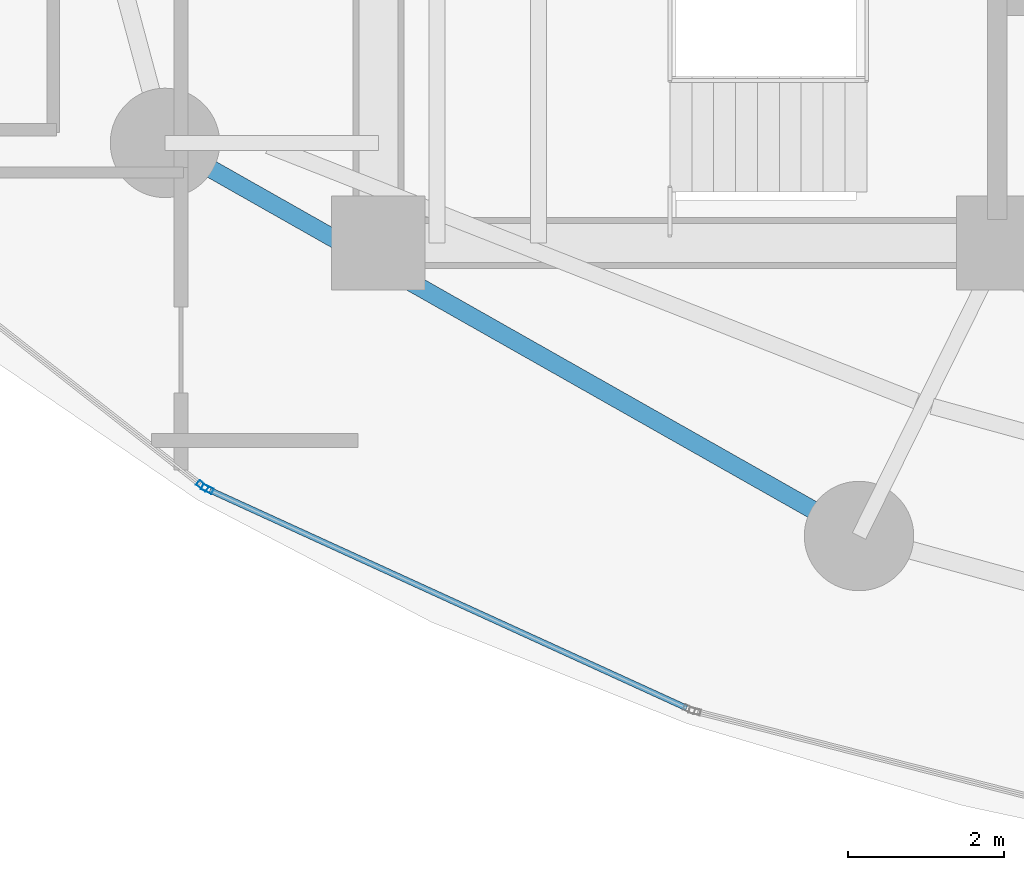
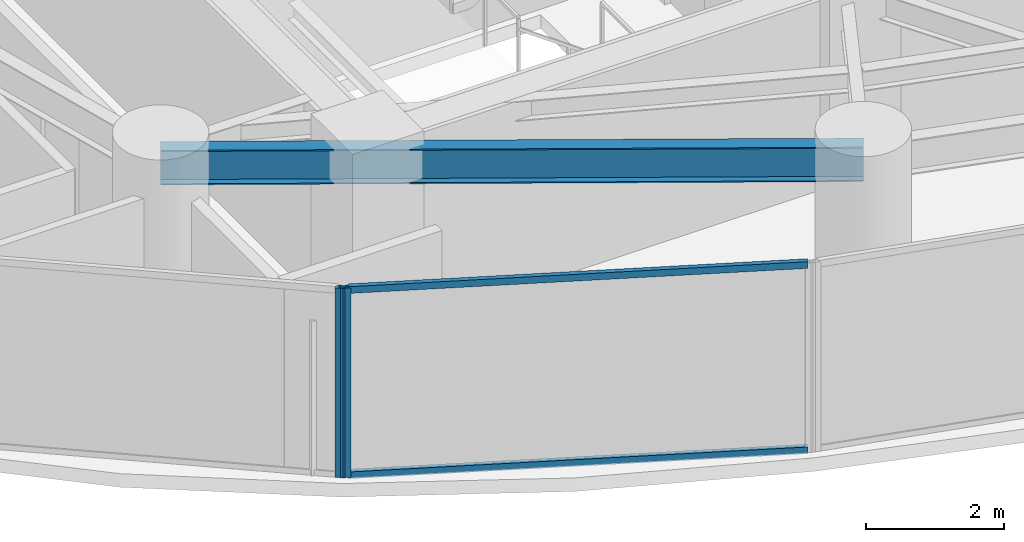
# One storey, part 2 of 33: 4 members, 1 beam, 2 elements without a shape of their own.
"""IFC4 building model written with IfcOpenShell, lengths in metres."""

from ifc_helpers import new_model, si_unit, direction, frame, origin, origin_2d, place, context, subcontext, project, spatial, hollow_rectangle, i_section, extrude, material, layer, layer_set, material_profile, profile_set, type_object, element, aggregate, save


model = new_model("IFC4")

# Units and contexts
model_context = context("Model", 3, precision=1e-05, world=origin(), true_north=direction((0.0, 1.0)))
body_context = subcontext(model_context, "Body", "Model", "MODEL_VIEW")
ifc_project = project(units=[si_unit("LENGTHUNIT", "METRE"), si_unit("AREAUNIT", "SQUARE_METRE"), si_unit("VOLUMEUNIT", "CUBIC_METRE"), si_unit("PLANEANGLEUNIT", "RADIAN"), si_unit("MASSUNIT", "GRAM", prefix="KILO")], contexts=[model_context])

# Site, building, storey
site_placement = place(None, origin())
site = spatial("IfcSite", under=ifc_project, at=site_placement, CompositionType="ELEMENT")
building_placement = place(site_placement, origin())
building = spatial("IfcBuilding", under=site, at=building_placement, Name="Kazevale Care Tower and Concert Hall", CompositionType="ELEMENT")
storey_placement = place(building_placement, frame((0.0, 0.0, 52.800048828125)))
storey = spatial("IfcBuildingStorey", under=building, at=storey_placement, Name="L13", CompositionType="ELEMENT", Elevation=52.800048828125)

# Curtain wall, member
ifc_material_1 = material(Name="Aluminium 6063-T6 and Low-E Glass", Category="aluminium")
ifc_layer = layer(ifc_material_1, 0.179931640625)
ifc_layer_set = layer_set([ifc_layer], Name="Aluminium 6063-T6 and Low-E Glass")
curtain_wall_type = type_object("IfcCurtainWallType", Name="Sheltered Concave Balcony Curtain Wall CW-5", PredefinedType="NOTDEFINED", material=ifc_layer_set)
curtain_wall_1_placement = place(storey_placement, origin())
curtain_wall_1 = element("IfcCurtainWall", 1, at=curtain_wall_1_placement, inside=storey, type_object=curtain_wall_type, Name="cw:L13:f09", PredefinedType="NOTDEFINED")
ifc_material_2 = material(Name="Aluminium 6063-T6", Category="aluminium")
ifc_material_profile_1 = material_profile(ifc_material_2, hollow_rectangle(XDim=0.074951171875, YDim=0.14990234375, WallThickness=0.00390625, at=origin_2d()), Name="ALU75x150x4")
ifc_profile_set_1 = profile_set([ifc_material_profile_1], Name="Aluminium 6063-T6")
member_type_1 = type_object("IfcMemberType", Name="CW-5 Mullion ALU75x150x4", PredefinedType="MULLION", material=ifc_profile_set_1)
member_1_placement = place(storey_placement, frame((19.81201171875, 20.451416015625, 0.0), z_axis=(0.0, 0.0, 1.0), x_axis=(-0.415659767773, -0.909520179795, 0.0)))
member_1 = element("IfcMember", 2, at=member_1_placement, type_object=member_type_1, Name="CW-5 mullion 2", PredefinedType="MULLION", context=body_context, shape_type="SweptSolid", body=[
    extrude(hollow_rectangle(XDim=0.074951171875, YDim=0.14990234375, WallThickness=0.00390625, at=origin_2d()), origin(), (0.0, 0.0, 1.0), 3.35986328125),
])

curtain_wall_2_placement = place(storey_placement, origin())
curtain_wall_2 = element("IfcCurtainWall", 3, at=curtain_wall_2_placement, inside=storey, type_object=curtain_wall_type, Name="cw:L13:f10", PredefinedType="NOTDEFINED")
member_2_placement = place(storey_placement, frame((19.74853515625, 20.490234375, 0.0), z_axis=(0.0, 0.0, 1.0), x_axis=(-0.617807548814, -0.78632934107, 0.0)))
member_2 = element("IfcMember", 4, at=member_2_placement, type_object=member_type_1, Name="CW-5 mullion 1", PredefinedType="MULLION", context=body_context, shape_type="SweptSolid", body=[
    extrude(hollow_rectangle(XDim=0.074951171875, YDim=0.14990234375, WallThickness=0.00390625, at=origin_2d()), origin(), (0.0, 0.0, 1.0), 3.35986328125),
])
aggregate(curtain_wall_2, [member_2])

# Member
ifc_material_profile_2 = material_profile(ifc_material_2, hollow_rectangle(XDim=0.074951171875, YDim=0.1201171875, WallThickness=0.00390625, at=origin_2d()), Name="ALU75x120x4")
ifc_profile_set_2 = profile_set([ifc_material_profile_2], Name="Aluminium 6063-T6")
member_type_2 = type_object("IfcMemberType", Name="CW-5 Transom ALU75x120x4", PredefinedType="USERDEFINED", material=ifc_profile_set_2)
member_3_placement = place(storey_placement, frame((25.94384765625, 17.649169921875, 0.037353515625), z_axis=(-0.909524040017, 0.415651320978, 0.0), x_axis=(-0.415651320978, -0.909524040017, 0.0)))
member_3 = element("IfcMember", 5, at=member_3_placement, type_object=member_type_2, Name="CW-5 transom 1.1", ObjectType="TRANSOM", PredefinedType="USERDEFINED", context=body_context, shape_type="SweptSolid", body=[
    extrude(hollow_rectangle(XDim=0.074951171875, YDim=0.1201171875, WallThickness=0.00390625, at=origin_2d()), origin(), (0.0, 0.0, 1.0), 6.704345703125),
])

member_4_placement = place(storey_placement, frame((25.94384765625, 17.649169921875, 3.322509765625), z_axis=(-0.909524040017, 0.415651320978, 0.0), x_axis=(-0.415651320978, -0.909524040017, 0.0)))
member_4 = element("IfcMember", 6, at=member_4_placement, type_object=member_type_2, Name="CW-5 transom 1.2", ObjectType="TRANSOM", PredefinedType="USERDEFINED", context=body_context, shape_type="SweptSolid", body=[
    extrude(hollow_rectangle(XDim=0.074951171875, YDim=0.1201171875, WallThickness=0.00390625, at=origin_2d()), origin(), (0.0, 0.0, 1.0), 6.704345703125),
])

aggregate(curtain_wall_1, [member_1, member_3, member_4])

# Beam
ifc_material_3 = material(Name="Steel ASTM A572 Gr 50", Category="steel")
ifc_material_profile_3 = material_profile(ifc_material_3, i_section(OverallWidth=0.22900390625, OverallDepth=0.612060546875, WebThickness=0.011962890625, FlangeThickness=0.01953125, at=origin_2d()), Name="W610x125")
ifc_profile_set_3 = profile_set([ifc_material_profile_3], Name="Steel ASTM A572 Gr 50")
beam_type = type_object("IfcBeamType", Name="Ring Spandrel Beam W610x125", PredefinedType="SPANDREL", material=ifc_profile_set_3)
beam_placement = place(storey_placement, frame((19.27001953125, 24.8798828125, 3.053955078125), z_axis=(0.870112469479, -0.492853213906, 0.0), x_axis=(0.492853213906, 0.870112469479, 0.0)))
element("IfcBeam", 7, at=beam_placement, inside=storey, type_object=beam_type, Name="beam:L13:ring:10", PredefinedType="SPANDREL", context=body_context, shape_type="SweptSolid", body=[
    extrude(i_section(OverallWidth=0.22900390625, OverallDepth=0.612060546875, WebThickness=0.011962890625, FlangeThickness=0.01953125, at=origin_2d()), origin(), (0.0, 0.0, 1.0), 10.205322265625),
])

save(model, "model.ifc")
